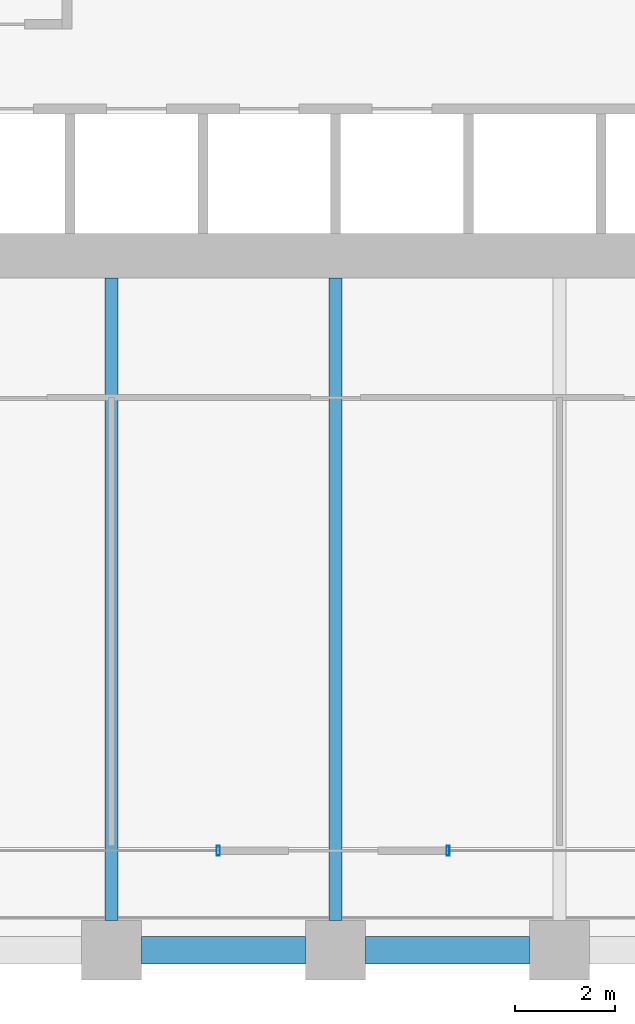
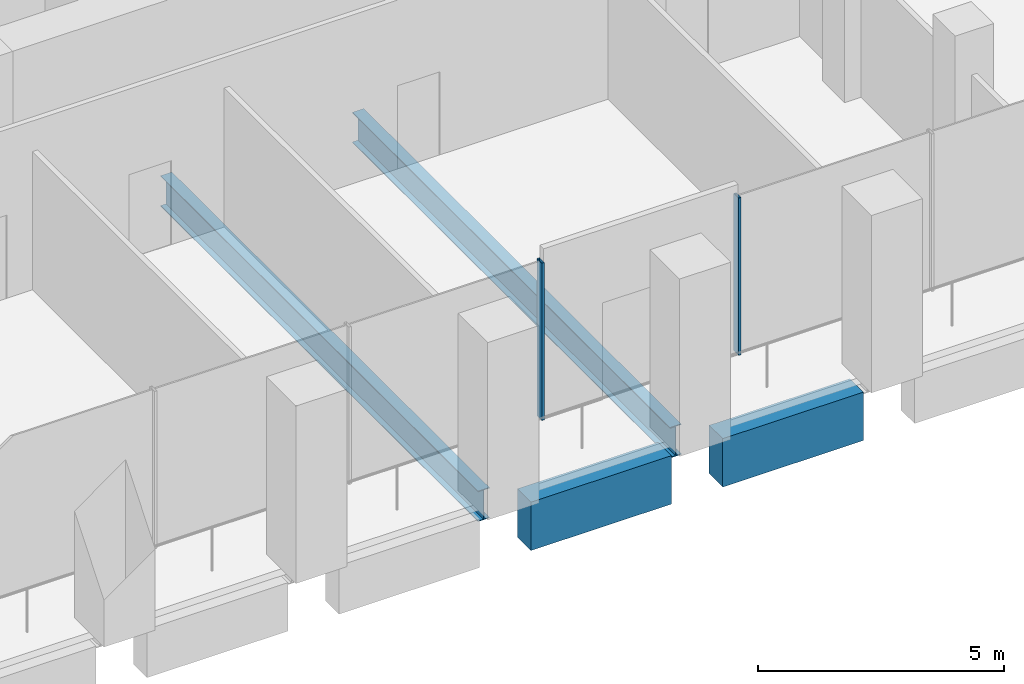
# One storey, part 5 of 36: 4 beams, 2 members, 2 elements without a shape of their own.
"""IFC4 building model written with IfcOpenShell, lengths in metres."""

import ifcopenshell
import ifcopenshell.guid

model = None  # the IFC model being written
_history = None  # IfcOwnerHistory: only IFC2X3 demands one
_inside = {}  # id of a spatial element -> (the spatial element, [elements in it])
_under = {}  # id of a project, library or spatial element -> (it, [spatial elements below it])
_declared = {}  # id of a project -> (the project, [libraries it declares])
_typed = {}  # id of a type object -> (the type object, [elements of that type])
_made_of = {}  # id of a material, layer set ... -> (it, [elements and type objects made of it])


def new_model(schema):
    """Start an empty IFC model of exactly this schema.

    Asked for "IFC4X3", IfcOpenShell would pick the latest addendum, in which some entities
    have other attributes; the version numbers below select the first issue.
    IFC2X3 requires an IfcOwnerHistory on every rooted entity: one is made here for all.
    """
    global model, _history
    if schema == "IFC4X3":
        model = ifcopenshell.file(schema_version=(4, 3, 0, 0))
    else:
        model = ifcopenshell.file(schema=schema)
    _inside.clear()
    _under.clear()
    _declared.clear()
    _typed.clear()
    _made_of.clear()
    _history = None
    if model.schema == "IFC2X3":
        org = make("IfcOrganization", Name="unknown")
        user = make(
            "IfcPersonAndOrganization",
            ThePerson=make("IfcPerson", FamilyName="unknown"),
            TheOrganization=org,
        )
        app = make(
            "IfcApplication",
            ApplicationDeveloper=org,
            Version="unknown",
            ApplicationFullName="unknown",
            ApplicationIdentifier="unknown",
        )
        _history = make(
            "IfcOwnerHistory",
            OwningUser=user,
            OwningApplication=app,
            ChangeAction="ADDED",
            CreationDate=0,
        )
    return model


def make(cls, **values):
    """One entity of the class cls with the attributes given. An attribute that is None is left unset."""
    return model.create_entity(
        cls, **{name: value for name, value in values.items() if value is not None}
    )


def rooted(cls, **values):
    """An entity with a GlobalId (a new one), such as an element, a storey or a relation."""
    return make(cls, GlobalId=ifcopenshell.guid.new(), OwnerHistory=_history, **values)


def si_unit(unit_type, name, prefix=None):
    """IfcSIUnit, for example si_unit("LENGTHUNIT", "METRE", prefix="MILLI")."""
    return make("IfcSIUnit", UnitType=unit_type, Prefix=prefix, Name=name)


def assignment(units):
    """IfcUnitAssignment: the units of a project."""
    return None if units is None else make("IfcUnitAssignment", Units=units)


def point(xyz):
    """IfcCartesianPoint."""
    return None if xyz is None else make("IfcCartesianPoint", Coordinates=xyz)


def direction(xyz):
    """IfcDirection."""
    return None if xyz is None else make("IfcDirection", DirectionRatios=xyz)


def frame(location, z_axis=None, x_axis=None):
    """IfcAxis2Placement3D, a coordinate frame: its origin and axes. An axis left out is left unset."""
    return make(
        "IfcAxis2Placement3D",
        Location=point(location),
        Axis=direction(z_axis),
        RefDirection=direction(x_axis),
    )


def frame_2d(location, x_axis=None):
    """IfcAxis2Placement2D, a coordinate frame in the plane: its origin and x axis."""
    return make(
        "IfcAxis2Placement2D", Location=point(location), RefDirection=direction(x_axis)
    )


def origin():
    """The frame at (0, 0, 0) with its axes left unset."""
    return frame((0.0, 0.0, 0.0))


def origin_2d():
    """The frame at (0, 0) in the plane with its x axis left unset."""
    return frame_2d((0.0, 0.0))


def place(relative_to, where):
    """IfcLocalPlacement: puts the frame where relative to a parent placement (None: the world)."""
    return make(
        "IfcLocalPlacement", PlacementRelTo=relative_to, RelativePlacement=where
    )


def context(
    kind, dimensions, precision=None, world=None, true_north=None, identifier=None
):
    """IfcGeometricRepresentationContext, for example the 3D "Model" context."""
    return make(
        "IfcGeometricRepresentationContext",
        ContextIdentifier=identifier,
        ContextType=kind,
        CoordinateSpaceDimension=dimensions,
        Precision=precision,
        WorldCoordinateSystem=world,
        TrueNorth=true_north,
    )


def subcontext(parent, identifier, kind, view, scale=None):
    """IfcGeometricRepresentationSubContext, for example "Body" below "Model"."""
    return make(
        "IfcGeometricRepresentationSubContext",
        ContextIdentifier=identifier,
        ContextType=kind,
        ParentContext=parent,
        TargetScale=scale,
        TargetView=view,
    )


def project(units=None, contexts=None):
    """IfcProject with its units and contexts."""
    return rooted(
        "IfcProject",
        Name="project",
        RepresentationContexts=contexts,
        UnitsInContext=assignment(units),
    )


def spatial(cls, under=None, at=None, **own):
    """A site, building, storey or space (cls), placed at a placement, below another one or the project."""
    s = rooted(cls, ObjectPlacement=at, **own)
    if under is not None:
        _under.setdefault(under.id(), (under, []))[1].append(s)
    return s


def profile(cls, at=None, kind="AREA", **sizes):
    """A parametric profile (cls). Its sizes go by their IFC names, for example OverallWidth=200.0."""
    return make(cls, ProfileType=kind, Position=at, **sizes)


def rectangle(**sizes):
    """IfcRectangleProfileDef."""
    return profile("IfcRectangleProfileDef", **sizes)


def hollow_rectangle(**sizes):
    """IfcRectangleHollowProfileDef."""
    return profile("IfcRectangleHollowProfileDef", **sizes)


def i_section(**sizes):
    """IfcIShapeProfileDef."""
    return profile("IfcIShapeProfileDef", **sizes)


def extrude(swept, where, along, depth):
    """IfcExtrudedAreaSolid: the profile swept, set in the frame where, extruded along a direction by depth."""
    return make(
        "IfcExtrudedAreaSolid",
        SweptArea=swept,
        Position=where,
        ExtrudedDirection=direction(along),
        Depth=depth,
    )


def shape(context_of_items, identifier, shape_type, items):
    """IfcShapeRepresentation: the items that make up one representation, for example the "Body"."""
    return make(
        "IfcShapeRepresentation",
        ContextOfItems=context_of_items,
        RepresentationIdentifier=identifier,
        RepresentationType=shape_type,
        Items=items,
    )


def material(Name=None, Category=None):
    """IfcMaterial."""
    return make("IfcMaterial", Name=Name, Category=Category)


def material_profile(
    of_material, cross_section, Name=None, Category=None, Priority=None
):
    """IfcMaterialProfile: a cross section and its material."""
    return make(
        "IfcMaterialProfile",
        Name=Name,
        Material=of_material,
        Profile=cross_section,
        Priority=Priority,
        Category=Category,
    )


def profile_set(profiles, Name=None, composite=None):
    """IfcMaterialProfileSet."""
    return make(
        "IfcMaterialProfileSet",
        Name=Name,
        MaterialProfiles=profiles,
        CompositeProfile=composite,
    )


def made_of(thing, what):
    """Note that an element or type object is made of a material, layer set ...; save() writes the relation."""
    if what is not None:
        _made_of.setdefault(what.id(), (what, []))[1].append(thing)
    return thing


def type_object(cls, material=None, **own):
    """A type object (cls), such as IfcWallType, which elements share."""
    return made_of(rooted(cls, **own), material)


def element(
    cls,
    number,
    at=None,
    inside=None,
    cuts=None,
    type_object=None,
    material=None,
    context=None,
    identifier="Body",
    shape_type=None,
    held_by="IfcProductDefinitionShape",
    body=None,
    shapes=None,
    **own,
):
    """One element of the class cls, such as IfcWall. Its Tag is "e" and its number.

    at: its placement. inside: the storey or other place that contains it. cuts: it is an
    opening in that element (IfcRelVoidsElement). A single representation is given by context,
    identifier, shape_type and body (its items); several are given by shapes. held_by: the class
    of the entity that holds the representations. save() writes the other relations.
    """
    e = rooted(cls, Tag="e%d" % number, ObjectPlacement=at, **own)
    if body is not None:
        shapes = [shape(context, identifier, shape_type, body)]
    if shapes is not None:
        e.Representation = make(held_by, Representations=shapes)
    if inside is not None:
        _inside.setdefault(inside.id(), (inside, []))[1].append(e)
    if cuts is not None:
        rooted(
            "IfcRelVoidsElement", RelatingBuildingElement=cuts, RelatedOpeningElement=e
        )
    if type_object is not None:
        _typed.setdefault(type_object.id(), (type_object, []))[1].append(e)
    return made_of(e, material)


def aggregate(whole, parts):
    """IfcRelAggregates: a whole, such as a stair, and the parts it consists of."""
    return rooted("IfcRelAggregates", RelatingObject=whole, RelatedObjects=parts)


def save(model, path):
    """Write the relations noted so far, then the file.

    IfcRelAggregates (storeys below a building ...), IfcRelContainedInSpatialStructure (elements
    in a storey), IfcRelDefinesByType, IfcRelAssociatesMaterial and IfcRelDeclares: one each for
    every whole, place, type object, material and project.
    """
    for whole, parts in _under.values():
        aggregate(whole, parts)
    for where, things in _inside.values():
        rooted(
            "IfcRelContainedInSpatialStructure",
            RelatedElements=things,
            RelatingStructure=where,
        )
    for kind, things in _typed.values():
        rooted("IfcRelDefinesByType", RelatedObjects=things, RelatingType=kind)
    for what, things in _made_of.values():
        rooted("IfcRelAssociatesMaterial", RelatedObjects=things, RelatingMaterial=what)
    for by, libraries in _declared.values():
        rooted("IfcRelDeclares", RelatingContext=by, RelatedDefinitions=libraries)
    model.write(path)


model = new_model("IFC4")

# Units and contexts
model_context = context("Model", 3, precision=1e-05, world=origin(), true_north=direction((0.0, 1.0)))
body_context = subcontext(model_context, "Body", "Model", "MODEL_VIEW")
ifc_project = project(units=[si_unit("LENGTHUNIT", "METRE"), si_unit("AREAUNIT", "SQUARE_METRE"), si_unit("VOLUMEUNIT", "CUBIC_METRE"), si_unit("PLANEANGLEUNIT", "RADIAN"), si_unit("MASSUNIT", "GRAM", prefix="KILO")], contexts=[model_context])

# Site, building, storey
site_placement = place(None, origin())
site = spatial("IfcSite", under=ifc_project, at=site_placement, CompositionType="ELEMENT")
building_placement = place(site_placement, origin())
building = spatial("IfcBuilding", under=site, at=building_placement, Name="Altepetl Exchange Towers", CompositionType="ELEMENT")
storey_placement = place(building_placement, frame((0.0, 0.0, 29.800048828125)))
storey = spatial("IfcBuildingStorey", under=building, at=storey_placement, Name="L06", CompositionType="ELEMENT", Elevation=29.800048828125)

# Beams
ifc_material_1 = material(Name="Steel S355", Category="steel")
ifc_material_profile_1 = material_profile(ifc_material_1, i_section(OverallWidth=0.26611328125, OverallDepth=0.758056640625, WebThickness=0.013916015625, FlangeThickness=0.019287109375, at=origin_2d()), Name="W30X108")
ifc_profile_set_1 = profile_set([ifc_material_profile_1], Name="Steel S355")
beam_type_1 = type_object("IfcBeamType", Name="Floor beam W30X108", PredefinedType="BEAM", material=ifc_profile_set_1)
for number, where, z_axis, x_axis, name in (
    (1, (45.0, 27.60009765625, -0.553955078125), (0.0, 1.0, 0.0), (-1.0, 0.0, 0.0), "bm:A:L06:015"),
    (2, (49.5, 27.60009765625, -0.553955078125), (0.0, 1.0, 0.0), (-1.0, 0.0, 0.0), "bm:A:L06:016"),
):
    element("IfcBeam", number, at=place(storey_placement, frame(where, z_axis=z_axis, x_axis=x_axis)), inside=storey, type_object=beam_type_1, Name=name, PredefinedType="BEAM", context=body_context, shape_type="SweptSolid", body=[
        extrude(i_section(OverallWidth=0.26611328125, OverallDepth=0.758056640625, WebThickness=0.013916015625, FlangeThickness=0.019287109375, at=origin_2d()), origin(), (0.0, 0.0, 1.0), 12.89990234375),
    ])

# Curtain wall, member
ifc_material_2 = material(Name="Aluminium 6063-T6 glazing", Category="aluminium")
curtain_wall_type = type_object("IfcCurtainWallType", Name="Trading floor glazing system", PredefinedType="NOTDEFINED", material=ifc_material_2)
curtain_wall_1_placement = place(storey_placement, origin())
curtain_wall_1 = element("IfcCurtainWall", 3, at=curtain_wall_1_placement, inside=storey, type_object=curtain_wall_type, Name="CW2 run", PredefinedType="NOTDEFINED")
ifc_material_3 = material(Name="Aluminium 6063-T6", Category="aluminium")
ifc_material_profile_2 = material_profile(ifc_material_3, hollow_rectangle(XDim=0.06005859375, YDim=0.199951171875, WallThickness=0.0029296875, at=origin_2d()), Name="Mullion 60x200 aluminium")
ifc_profile_set_2 = profile_set([ifc_material_profile_2], Name="Aluminium 6063-T6")
member_type = type_object("IfcMemberType", Name="Mullion 60x200 aluminium", PredefinedType="MULLION", material=ifc_profile_set_2)
member_1_placement = place(storey_placement, frame((47.141357421875, 29.0, 0.0)))
member_1 = element("IfcMember", 4, at=member_1_placement, type_object=member_type, Name="MU2 mullion", PredefinedType="MULLION", context=body_context, shape_type="SweptSolid", body=[
    extrude(hollow_rectangle(XDim=0.06005859375, YDim=0.199951171875, WallThickness=0.0029296875, at=origin_2d()), origin(), (0.0, 0.0, 1.0), 3.89990234375),
])
aggregate(curtain_wall_1, [member_1])

curtain_wall_2_placement = place(storey_placement, origin())
curtain_wall_2 = element("IfcCurtainWall", 5, at=curtain_wall_2_placement, inside=storey, type_object=curtain_wall_type, Name="CW2 run", PredefinedType="NOTDEFINED")
member_2_placement = place(storey_placement, frame((51.758544921875, 29.0, 0.0)))
member_2 = element("IfcMember", 6, at=member_2_placement, type_object=member_type, Name="MU2 mullion", PredefinedType="MULLION", context=body_context, shape_type="SweptSolid", body=[
    extrude(hollow_rectangle(XDim=0.06005859375, YDim=0.199951171875, WallThickness=0.0029296875, at=origin_2d()), origin(), (0.0, 0.0, 1.0), 3.89990234375),
])
aggregate(curtain_wall_2, [member_2])

# Beams
ifc_material_4 = material(Name="Concrete C50/60 precast with cantera blanca facing", Category="concrete")
ifc_material_profile_3 = material_profile(ifc_material_4, rectangle(XDim=0.550048828125, YDim=1.199951171875, at=origin_2d()), Name="550 x 1200")
ifc_profile_set_3 = profile_set([ifc_material_profile_3], Name="Concrete C50/60 precast with cantera blanca facing")
beam_type_2 = type_object("IfcBeamType", Name="Spandrel beam 550x1200 cantera blanca", PredefinedType="SPANDREL", material=ifc_profile_set_3)
for number, where, z_axis, x_axis, name in (
    (7, (45.60009765625, 27.0, -0.775146484375), (1.0, 0.0, 0.0), (0.0, 1.0, 0.0), "sp:A:L06:003"),
    (8, (50.10009765625, 27.0, -0.775146484375), (1.0, 0.0, 0.0), (0.0, 1.0, 0.0), "sp:A:L06:004"),
):
    element("IfcBeam", number, at=place(storey_placement, frame(where, z_axis=z_axis, x_axis=x_axis)), inside=storey, type_object=beam_type_2, Name=name, PredefinedType="SPANDREL", context=body_context, shape_type="SweptSolid", body=[
        extrude(rectangle(XDim=0.550048828125, YDim=1.199951171875, at=origin_2d()), origin(), (0.0, 0.0, 1.0), 3.2998046875),
    ])

save(model, "model.ifc")
